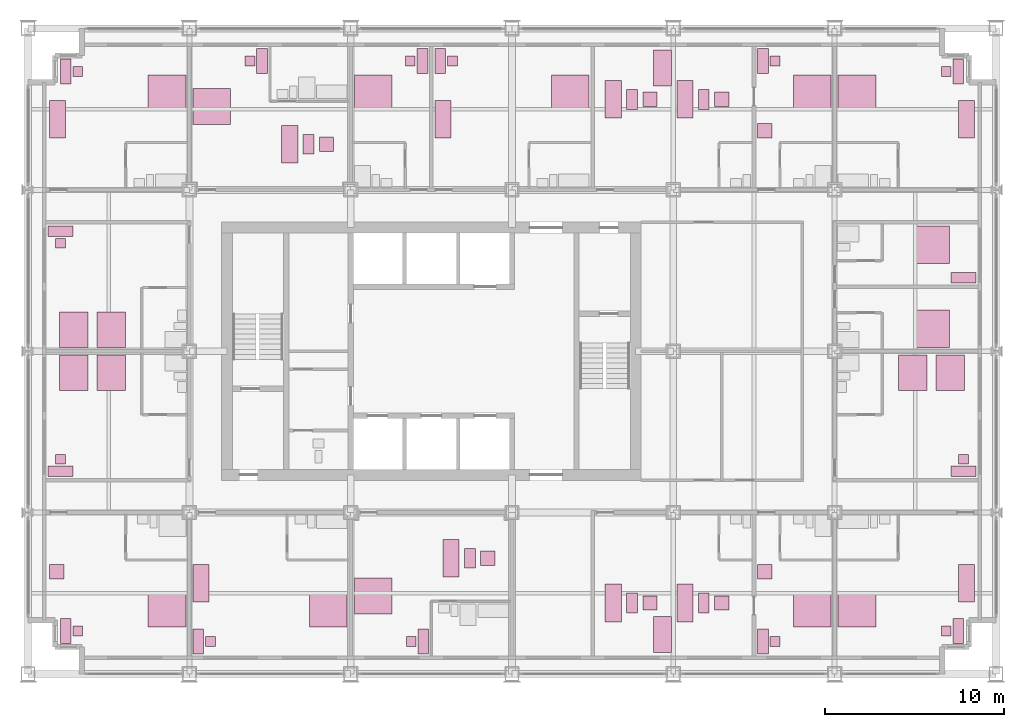
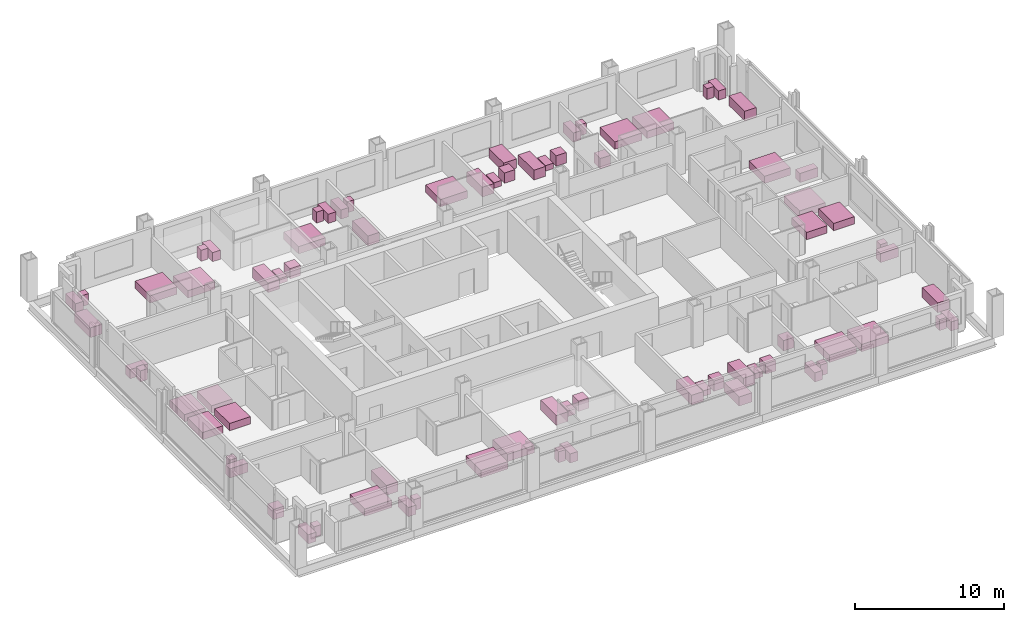
# One storey, part 18 of 18: 76 furniture elements.
"""IFC4 building model written with IfcOpenShell, lengths in metres."""

from ifc_helpers import new_model, si_unit, direction, frame, origin, origin_2d, place, context, subcontext, project, spatial, rectangle, extrude, element, save


model = new_model("IFC4")

# Units and contexts
model_context = context("Model", 3, precision=1e-05, world=origin(), true_north=direction((0.0, 1.0)))
body_context = subcontext(model_context, "Body", "Model", "MODEL_VIEW")
ifc_project = project(units=[si_unit("LENGTHUNIT", "METRE"), si_unit("AREAUNIT", "SQUARE_METRE"), si_unit("VOLUMEUNIT", "CUBIC_METRE"), si_unit("PLANEANGLEUNIT", "RADIAN"), si_unit("MASSUNIT", "GRAM", prefix="KILO")], contexts=[model_context])

# Site, building, storey
site_placement = place(None, origin())
site = spatial("IfcSite", under=ifc_project, at=site_placement, CompositionType="ELEMENT")
building_placement = place(site_placement, origin())
building = spatial("IfcBuilding", under=site, at=building_placement, Name="Loomwork Tower", CompositionType="ELEMENT")
storey_placement = place(building_placement, frame((0.0, 0.0, 75.60009765625)))
storey = spatial("IfcBuildingStorey", under=building, at=storey_placement, Name="L19", CompositionType="ELEMENT", Elevation=75.60009765625)

# Furniture
furniture_1_placement = place(storey_placement, frame((7.75, 3.60009765625, -0.000244140625), z_axis=(0.0, 0.0, 1.0), x_axis=(1.0, 0.0, 0.0)))
element("IfcFurniture", 1, at=furniture_1_placement, inside=storey, Name="King bed L19", PredefinedType="BED", context=body_context, shape_type="SweptSolid", body=[
    extrude(rectangle(XDim=2.10009765625, YDim=2.0, at=origin_2d()), origin(), (0.0, 0.0, 1.0), 0.60009765625),
])
furniture_2_placement = place(storey_placement, frame((2.10009765625, 2.39990234375, 0.0), z_axis=(0.0, 0.0, 1.0), x_axis=(1.0, 0.0, 0.0)))
element("IfcFurniture", 2, at=furniture_2_placement, inside=storey, Name="Writing desk L19", PredefinedType="DESK", context=body_context, shape_type="SweptSolid", body=[
    extrude(rectangle(XDim=0.60009765625, YDim=1.39990234375, at=origin_2d()), origin(), (0.0, 0.0, 1.0), 0.75),
])
furniture_3_placement = place(storey_placement, frame((2.77490234375, 2.39990234375, 0.0), z_axis=(0.0, 0.0, 1.0), x_axis=(1.0, 0.0, 0.0)))
element("IfcFurniture", 3, at=furniture_3_placement, inside=storey, Name="Desk chair L19", PredefinedType="CHAIR", context=body_context, shape_type="SweptSolid", body=[
    extrude(rectangle(XDim=0.550048828125, YDim=0.550048828125, at=origin_2d()), origin(), (0.0, 0.0, 1.0), 0.89990234375),
])
furniture_4_placement = place(storey_placement, frame((1.60009765625, 5.699951171875, -0.000244140625), z_axis=(0.0, 0.0, 1.0), x_axis=(1.0, 0.0, 0.0)))
element("IfcFurniture", 4, at=furniture_4_placement, inside=storey, Name="Lounge armchair L19", PredefinedType="CHAIR", context=body_context, shape_type="SweptSolid", body=[
    extrude(rectangle(XDim=0.800048828125, YDim=0.800048828125, at=origin_2d()), origin(), (0.0, 0.0, 1.0), 0.85009765625),
])
furniture_5_placement = place(storey_placement, frame((16.75, 3.60009765625, -0.000244140625), z_axis=(0.0, 0.0, 1.0), x_axis=(1.0, 0.0, 0.0)))
element("IfcFurniture", 5, at=furniture_5_placement, inside=storey, Name="King bed L19", PredefinedType="BED", context=body_context, shape_type="SweptSolid", body=[
    extrude(rectangle(XDim=2.10009765625, YDim=2.0, at=origin_2d()), origin(), (0.0, 0.0, 1.0), 0.60009765625),
])
furniture_6_placement = place(storey_placement, frame((9.5, 1.800048828125, 0.0), z_axis=(0.0, 0.0, 1.0), x_axis=(1.0, 0.0, 0.0)))
element("IfcFurniture", 6, at=furniture_6_placement, inside=storey, Name="Writing desk L19", PredefinedType="DESK", context=body_context, shape_type="SweptSolid", body=[
    extrude(rectangle(XDim=0.60009765625, YDim=1.39990234375, at=origin_2d()), origin(), (0.0, 0.0, 1.0), 0.75),
])
furniture_7_placement = place(storey_placement, frame((10.175048828125, 1.800048828125, 0.0), z_axis=(0.0, 0.0, 1.0), x_axis=(1.0, 0.0, 0.0)))
element("IfcFurniture", 7, at=furniture_7_placement, inside=storey, Name="Desk chair L19", PredefinedType="CHAIR", context=body_context, shape_type="SweptSolid", body=[
    extrude(rectangle(XDim=0.550048828125, YDim=0.550048828125, at=origin_2d()), origin(), (0.0, 0.0, 1.0), 0.89990234375),
])
furniture_8_placement = place(storey_placement, frame((9.64990234375, 5.050048828125, 0.0), z_axis=(0.0, 0.0, 1.0), x_axis=(1.0, 0.0, 0.0)))
element("IfcFurniture", 8, at=furniture_8_placement, inside=storey, Name="Sofa L19", PredefinedType="SOFA", context=body_context, shape_type="SweptSolid", body=[
    extrude(rectangle(XDim=0.89990234375, YDim=2.10009765625, at=origin_2d()), origin(), (0.0, 0.0, 1.0), 0.800048828125),
])
furniture_9_placement = place(storey_placement, frame((19.25, 4.35009765625, -0.000244140625), z_axis=(0.0, 0.0, 1.0), x_axis=(1.0, 0.0, 0.0)))
element("IfcFurniture", 9, at=furniture_9_placement, inside=storey, Name="King bed L19", PredefinedType="BED", context=body_context, shape_type="SweptSolid", body=[
    extrude(rectangle(XDim=2.10009765625, YDim=2.0, at=origin_2d()), origin(), (0.0, 0.0, 1.0), 0.60009765625),
])
furniture_10_placement = place(storey_placement, frame((22.050048828125, 1.800048828125, 0.0), z_axis=(0.0, 0.0, 1.0), x_axis=(1.0, 0.0, 0.0)))
element("IfcFurniture", 10, at=furniture_10_placement, inside=storey, Name="Writing desk L19", PredefinedType="DESK", context=body_context, shape_type="SweptSolid", body=[
    extrude(rectangle(XDim=0.60009765625, YDim=1.39990234375, at=origin_2d()), origin(), (0.0, 0.0, 1.0), 0.75),
])
furniture_11_placement = place(storey_placement, frame((21.375, 1.800048828125, 0.0), z_axis=(0.0, 0.0, 1.0), x_axis=(1.0, 0.0, 0.0)))
element("IfcFurniture", 11, at=furniture_11_placement, inside=storey, Name="Desk chair L19", PredefinedType="CHAIR", context=body_context, shape_type="SweptSolid", body=[
    extrude(rectangle(XDim=0.550048828125, YDim=0.550048828125, at=origin_2d()), origin(), (0.0, 0.0, 1.0), 0.89990234375),
])
furniture_12_placement = place(storey_placement, frame((23.60009765625, 6.449951171875, 0.0), z_axis=(0.0, 0.0, 1.0), x_axis=(1.0, 0.0, 0.0)))
element("IfcFurniture", 12, at=furniture_12_placement, inside=storey, Name="Sofa L19", PredefinedType="SOFA", context=body_context, shape_type="SweptSolid", body=[
    extrude(rectangle(XDim=0.89990234375, YDim=2.10009765625, at=origin_2d()), origin(), (0.0, 0.0, 1.0), 0.800048828125),
])
furniture_13_placement = place(storey_placement, frame((24.64990234375, 6.449951171875, 0.0), z_axis=(0.0, 0.0, 1.0), x_axis=(1.0, 0.0, 0.0)))
element("IfcFurniture", 13, at=furniture_13_placement, inside=storey, Name="Coffee table L19", PredefinedType="TABLE", context=body_context, shape_type="SweptSolid", body=[
    extrude(rectangle(XDim=0.60009765625, YDim=1.10009765625, at=origin_2d()), origin(), (0.0, 0.0, 1.0), 0.449951171875),
])
furniture_14_placement = place(storey_placement, frame((25.64990234375, 6.449951171875, -0.000244140625), z_axis=(0.0, 0.0, 1.0), x_axis=(1.0, 0.0, 0.0)))
element("IfcFurniture", 14, at=furniture_14_placement, inside=storey, Name="Lounge armchair L19", PredefinedType="CHAIR", context=body_context, shape_type="SweptSolid", body=[
    extrude(rectangle(XDim=0.800048828125, YDim=0.800048828125, at=origin_2d()), origin(), (0.0, 0.0, 1.0), 0.85009765625),
])
furniture_15_placement = place(storey_placement, frame((32.64990234375, 3.949951171875, 0.0), z_axis=(0.0, 0.0, 1.0), x_axis=(1.0, 0.0, 0.0)))
element("IfcFurniture", 15, at=furniture_15_placement, inside=storey, Name="Sofa L19", PredefinedType="SOFA", context=body_context, shape_type="SweptSolid", body=[
    extrude(rectangle(XDim=0.89990234375, YDim=2.10009765625, at=origin_2d()), origin(), (0.0, 0.0, 1.0), 0.800048828125),
])
furniture_16_placement = place(storey_placement, frame((33.699951171875, 3.949951171875, 0.0), z_axis=(0.0, 0.0, 1.0), x_axis=(1.0, 0.0, 0.0)))
element("IfcFurniture", 16, at=furniture_16_placement, inside=storey, Name="Coffee table L19", PredefinedType="TABLE", context=body_context, shape_type="SweptSolid", body=[
    extrude(rectangle(XDim=0.60009765625, YDim=1.10009765625, at=origin_2d()), origin(), (0.0, 0.0, 1.0), 0.449951171875),
])
furniture_17_placement = place(storey_placement, frame((34.699951171875, 3.949951171875, -0.000244140625), z_axis=(0.0, 0.0, 1.0), x_axis=(1.0, 0.0, 0.0)))
element("IfcFurniture", 17, at=furniture_17_placement, inside=storey, Name="Lounge armchair L19", PredefinedType="CHAIR", context=body_context, shape_type="SweptSolid", body=[
    extrude(rectangle(XDim=0.800048828125, YDim=0.800048828125, at=origin_2d()), origin(), (0.0, 0.0, 1.0), 0.85009765625),
])
furniture_18_placement = place(storey_placement, frame((36.64990234375, 3.949951171875, 0.0), z_axis=(0.0, 0.0, 1.0), x_axis=(1.0, 0.0, 0.0)))
element("IfcFurniture", 18, at=furniture_18_placement, inside=storey, Name="Sofa L19", PredefinedType="SOFA", context=body_context, shape_type="SweptSolid", body=[
    extrude(rectangle(XDim=0.89990234375, YDim=2.10009765625, at=origin_2d()), origin(), (0.0, 0.0, 1.0), 0.800048828125),
])
furniture_19_placement = place(storey_placement, frame((37.699951171875, 3.949951171875, 0.0), z_axis=(0.0, 0.0, 1.0), x_axis=(1.0, 0.0, 0.0)))
element("IfcFurniture", 19, at=furniture_19_placement, inside=storey, Name="Coffee table L19", PredefinedType="TABLE", context=body_context, shape_type="SweptSolid", body=[
    extrude(rectangle(XDim=0.60009765625, YDim=1.10009765625, at=origin_2d()), origin(), (0.0, 0.0, 1.0), 0.449951171875),
])
furniture_20_placement = place(storey_placement, frame((38.699951171875, 3.949951171875, -0.000244140625), z_axis=(0.0, 0.0, 1.0), x_axis=(1.0, 0.0, 0.0)))
element("IfcFurniture", 20, at=furniture_20_placement, inside=storey, Name="Lounge armchair L19", PredefinedType="CHAIR", context=body_context, shape_type="SweptSolid", body=[
    extrude(rectangle(XDim=0.800048828125, YDim=0.800048828125, at=origin_2d()), origin(), (0.0, 0.0, 1.0), 0.85009765625),
])
furniture_21_placement = place(storey_placement, frame((35.39990234375, 2.199951171875, 0.0), z_axis=(0.0, 0.0, 1.0), x_axis=(1.0, 0.0, 0.0)))
element("IfcFurniture", 21, at=furniture_21_placement, inside=storey, Name="Dining table L19", PredefinedType="TABLE", context=body_context, shape_type="SweptSolid", body=[
    extrude(rectangle(XDim=1.0, YDim=2.0, at=origin_2d()), origin(), (0.0, 0.0, 1.0), 0.75),
])
furniture_22_placement = place(storey_placement, frame((43.75, 3.60009765625, -0.000244140625), z_axis=(0.0, 0.0, 1.0), x_axis=(1.0, 0.0, 0.0)))
element("IfcFurniture", 22, at=furniture_22_placement, inside=storey, Name="King bed L19", PredefinedType="BED", context=body_context, shape_type="SweptSolid", body=[
    extrude(rectangle(XDim=2.10009765625, YDim=2.0, at=origin_2d()), origin(), (0.0, 0.0, 1.0), 0.60009765625),
])
furniture_23_placement = place(storey_placement, frame((41.0, 1.800048828125, 0.0), z_axis=(0.0, 0.0, 1.0), x_axis=(1.0, 0.0, 0.0)))
element("IfcFurniture", 23, at=furniture_23_placement, inside=storey, Name="Writing desk L19", PredefinedType="DESK", context=body_context, shape_type="SweptSolid", body=[
    extrude(rectangle(XDim=0.60009765625, YDim=1.39990234375, at=origin_2d()), origin(), (0.0, 0.0, 1.0), 0.75),
])
furniture_24_placement = place(storey_placement, frame((41.675048828125, 1.800048828125, 0.0), z_axis=(0.0, 0.0, 1.0), x_axis=(1.0, 0.0, 0.0)))
element("IfcFurniture", 24, at=furniture_24_placement, inside=storey, Name="Desk chair L19", PredefinedType="CHAIR", context=body_context, shape_type="SweptSolid", body=[
    extrude(rectangle(XDim=0.550048828125, YDim=0.550048828125, at=origin_2d()), origin(), (0.0, 0.0, 1.0), 0.89990234375),
])
furniture_25_placement = place(storey_placement, frame((41.10009765625, 5.699951171875, -0.000244140625), z_axis=(0.0, 0.0, 1.0), x_axis=(1.0, 0.0, 0.0)))
element("IfcFurniture", 25, at=furniture_25_placement, inside=storey, Name="Lounge armchair L19", PredefinedType="CHAIR", context=body_context, shape_type="SweptSolid", body=[
    extrude(rectangle(XDim=0.800048828125, YDim=0.800048828125, at=origin_2d()), origin(), (0.0, 0.0, 1.0), 0.85009765625),
])
furniture_26_placement = place(storey_placement, frame((46.25, 3.60009765625, -0.000244140625), z_axis=(0.0, 0.0, 1.0), x_axis=(1.0, 0.0, 0.0)))
element("IfcFurniture", 26, at=furniture_26_placement, inside=storey, Name="King bed L19", PredefinedType="BED", context=body_context, shape_type="SweptSolid", body=[
    extrude(rectangle(XDim=2.10009765625, YDim=2.0, at=origin_2d()), origin(), (0.0, 0.0, 1.0), 0.60009765625),
])
furniture_27_placement = place(storey_placement, frame((51.89990234375, 2.39990234375, 0.0), z_axis=(0.0, 0.0, 1.0), x_axis=(1.0, 0.0, 0.0)))
element("IfcFurniture", 27, at=furniture_27_placement, inside=storey, Name="Writing desk L19", PredefinedType="DESK", context=body_context, shape_type="SweptSolid", body=[
    extrude(rectangle(XDim=0.60009765625, YDim=1.39990234375, at=origin_2d()), origin(), (0.0, 0.0, 1.0), 0.75),
])
furniture_28_placement = place(storey_placement, frame((51.22509765625, 2.39990234375, 0.0), z_axis=(0.0, 0.0, 1.0), x_axis=(1.0, 0.0, 0.0)))
element("IfcFurniture", 28, at=furniture_28_placement, inside=storey, Name="Desk chair L19", PredefinedType="CHAIR", context=body_context, shape_type="SweptSolid", body=[
    extrude(rectangle(XDim=0.550048828125, YDim=0.550048828125, at=origin_2d()), origin(), (0.0, 0.0, 1.0), 0.89990234375),
])
furniture_29_placement = place(storey_placement, frame((52.35009765625, 5.050048828125, 0.0), z_axis=(0.0, 0.0, 1.0), x_axis=(1.0, 0.0, 0.0)))
element("IfcFurniture", 29, at=furniture_29_placement, inside=storey, Name="Sofa L19", PredefinedType="SOFA", context=body_context, shape_type="SweptSolid", body=[
    extrude(rectangle(XDim=0.89990234375, YDim=2.10009765625, at=origin_2d()), origin(), (0.0, 0.0, 1.0), 0.800048828125),
])
furniture_30_placement = place(storey_placement, frame((7.75, 32.39990234375, -0.000244140625), z_axis=(0.0, 0.0, 1.0), x_axis=(1.0, 0.0, 0.0)))
element("IfcFurniture", 30, at=furniture_30_placement, inside=storey, Name="King bed L19", PredefinedType="BED", context=body_context, shape_type="SweptSolid", body=[
    extrude(rectangle(XDim=2.10009765625, YDim=2.0, at=origin_2d()), origin(), (0.0, 0.0, 1.0), 0.60009765625),
])
furniture_31_placement = place(storey_placement, frame((2.10009765625, 33.60009765625, 0.0), z_axis=(0.0, 0.0, 1.0), x_axis=(1.0, 0.0, 0.0)))
element("IfcFurniture", 31, at=furniture_31_placement, inside=storey, Name="Writing desk L19", PredefinedType="DESK", context=body_context, shape_type="SweptSolid", body=[
    extrude(rectangle(XDim=0.60009765625, YDim=1.39990234375, at=origin_2d()), origin(), (0.0, 0.0, 1.0), 0.75),
])
furniture_32_placement = place(storey_placement, frame((2.77490234375, 33.60009765625, 0.0), z_axis=(0.0, 0.0, 1.0), x_axis=(1.0, 0.0, 0.0)))
element("IfcFurniture", 32, at=furniture_32_placement, inside=storey, Name="Desk chair L19", PredefinedType="CHAIR", context=body_context, shape_type="SweptSolid", body=[
    extrude(rectangle(XDim=0.550048828125, YDim=0.550048828125, at=origin_2d()), origin(), (0.0, 0.0, 1.0), 0.89990234375),
])
furniture_33_placement = place(storey_placement, frame((1.64990234375, 30.949951171875, 0.0), z_axis=(0.0, 0.0, 1.0), x_axis=(1.0, 0.0, 0.0)))
element("IfcFurniture", 33, at=furniture_33_placement, inside=storey, Name="Sofa L19", PredefinedType="SOFA", context=body_context, shape_type="SweptSolid", body=[
    extrude(rectangle(XDim=0.89990234375, YDim=2.10009765625, at=origin_2d()), origin(), (0.0, 0.0, 1.0), 0.800048828125),
])
furniture_34_placement = place(storey_placement, frame((10.25, 31.64990234375, -0.000244140625), z_axis=(0.0, 0.0, 1.0), x_axis=(1.0, 0.0, 0.0)))
element("IfcFurniture", 34, at=furniture_34_placement, inside=storey, Name="King bed L19", PredefinedType="BED", context=body_context, shape_type="SweptSolid", body=[
    extrude(rectangle(XDim=2.10009765625, YDim=2.0, at=origin_2d()), origin(), (0.0, 0.0, 1.0), 0.60009765625),
])
furniture_35_placement = place(storey_placement, frame((13.050048828125, 34.199951171875, 0.0), z_axis=(0.0, 0.0, 1.0), x_axis=(1.0, 0.0, 0.0)))
element("IfcFurniture", 35, at=furniture_35_placement, inside=storey, Name="Writing desk L19", PredefinedType="DESK", context=body_context, shape_type="SweptSolid", body=[
    extrude(rectangle(XDim=0.60009765625, YDim=1.39990234375, at=origin_2d()), origin(), (0.0, 0.0, 1.0), 0.75),
])
furniture_36_placement = place(storey_placement, frame((12.375, 34.199951171875, 0.0), z_axis=(0.0, 0.0, 1.0), x_axis=(1.0, 0.0, 0.0)))
element("IfcFurniture", 36, at=furniture_36_placement, inside=storey, Name="Desk chair L19", PredefinedType="CHAIR", context=body_context, shape_type="SweptSolid", body=[
    extrude(rectangle(XDim=0.550048828125, YDim=0.550048828125, at=origin_2d()), origin(), (0.0, 0.0, 1.0), 0.89990234375),
])
furniture_37_placement = place(storey_placement, frame((14.60009765625, 29.550048828125, 0.0), z_axis=(0.0, 0.0, 1.0), x_axis=(1.0, 0.0, 0.0)))
element("IfcFurniture", 37, at=furniture_37_placement, inside=storey, Name="Sofa L19", PredefinedType="SOFA", context=body_context, shape_type="SweptSolid", body=[
    extrude(rectangle(XDim=0.89990234375, YDim=2.10009765625, at=origin_2d()), origin(), (0.0, 0.0, 1.0), 0.800048828125),
])
furniture_38_placement = place(storey_placement, frame((15.64990234375, 29.550048828125, 0.0), z_axis=(0.0, 0.0, 1.0), x_axis=(1.0, 0.0, 0.0)))
element("IfcFurniture", 38, at=furniture_38_placement, inside=storey, Name="Coffee table L19", PredefinedType="TABLE", context=body_context, shape_type="SweptSolid", body=[
    extrude(rectangle(XDim=0.60009765625, YDim=1.10009765625, at=origin_2d()), origin(), (0.0, 0.0, 1.0), 0.449951171875),
])
furniture_39_placement = place(storey_placement, frame((16.64990234375, 29.550048828125, -0.000244140625), z_axis=(0.0, 0.0, 1.0), x_axis=(1.0, 0.0, 0.0)))
element("IfcFurniture", 39, at=furniture_39_placement, inside=storey, Name="Lounge armchair L19", PredefinedType="CHAIR", context=body_context, shape_type="SweptSolid", body=[
    extrude(rectangle(XDim=0.800048828125, YDim=0.800048828125, at=origin_2d()), origin(), (0.0, 0.0, 1.0), 0.85009765625),
])
furniture_40_placement = place(storey_placement, frame((19.25, 32.39990234375, -0.000244140625), z_axis=(0.0, 0.0, 1.0), x_axis=(1.0, 0.0, 0.0)))
element("IfcFurniture", 40, at=furniture_40_placement, inside=storey, Name="King bed L19", PredefinedType="BED", context=body_context, shape_type="SweptSolid", body=[
    extrude(rectangle(XDim=2.10009765625, YDim=2.0, at=origin_2d()), origin(), (0.0, 0.0, 1.0), 0.60009765625),
])
furniture_41_placement = place(storey_placement, frame((22.0, 34.199951171875, 0.0), z_axis=(0.0, 0.0, 1.0), x_axis=(1.0, 0.0, 0.0)))
element("IfcFurniture", 41, at=furniture_41_placement, inside=storey, Name="Writing desk L19", PredefinedType="DESK", context=body_context, shape_type="SweptSolid", body=[
    extrude(rectangle(XDim=0.60009765625, YDim=1.39990234375, at=origin_2d()), origin(), (0.0, 0.0, 1.0), 0.75),
])
furniture_42_placement = place(storey_placement, frame((21.324951171875, 34.199951171875, 0.0), z_axis=(0.0, 0.0, 1.0), x_axis=(1.0, 0.0, 0.0)))
element("IfcFurniture", 42, at=furniture_42_placement, inside=storey, Name="Desk chair L19", PredefinedType="CHAIR", context=body_context, shape_type="SweptSolid", body=[
    extrude(rectangle(XDim=0.550048828125, YDim=0.550048828125, at=origin_2d()), origin(), (0.0, 0.0, 1.0), 0.89990234375),
])
furniture_43_placement = place(storey_placement, frame((30.25, 32.39990234375, -0.000244140625), z_axis=(0.0, 0.0, 1.0), x_axis=(1.0, 0.0, 0.0)))
element("IfcFurniture", 43, at=furniture_43_placement, inside=storey, Name="King bed L19", PredefinedType="BED", context=body_context, shape_type="SweptSolid", body=[
    extrude(rectangle(XDim=2.10009765625, YDim=2.0, at=origin_2d()), origin(), (0.0, 0.0, 1.0), 0.60009765625),
])
furniture_44_placement = place(storey_placement, frame((23.0, 34.199951171875, 0.0), z_axis=(0.0, 0.0, 1.0), x_axis=(1.0, 0.0, 0.0)))
element("IfcFurniture", 44, at=furniture_44_placement, inside=storey, Name="Writing desk L19", PredefinedType="DESK", context=body_context, shape_type="SweptSolid", body=[
    extrude(rectangle(XDim=0.60009765625, YDim=1.39990234375, at=origin_2d()), origin(), (0.0, 0.0, 1.0), 0.75),
])
furniture_45_placement = place(storey_placement, frame((23.675048828125, 34.199951171875, 0.0), z_axis=(0.0, 0.0, 1.0), x_axis=(1.0, 0.0, 0.0)))
element("IfcFurniture", 45, at=furniture_45_placement, inside=storey, Name="Desk chair L19", PredefinedType="CHAIR", context=body_context, shape_type="SweptSolid", body=[
    extrude(rectangle(XDim=0.550048828125, YDim=0.550048828125, at=origin_2d()), origin(), (0.0, 0.0, 1.0), 0.89990234375),
])
for number, where, z_axis, x_axis, name in (
    (46, (23.14990234375, 30.949951171875, 0.0), (0.0, 0.0, 1.0), (1.0, 0.0, 0.0), "Sofa L19"),
    (47, (32.64990234375, 32.050048828125, 0.0), (0.0, 0.0, 1.0), (1.0, 0.0, 0.0), "Sofa L19"),
):
    element("IfcFurniture", number, at=place(storey_placement, frame(where, z_axis=z_axis, x_axis=x_axis)), inside=storey, Name=name, PredefinedType="SOFA", context=body_context, shape_type="SweptSolid", body=[
        extrude(rectangle(XDim=0.89990234375, YDim=2.10009765625, at=origin_2d()), origin(), (0.0, 0.0, 1.0), 0.800048828125),
    ])
furniture_46_placement = place(storey_placement, frame((33.699951171875, 32.050048828125, 0.0), z_axis=(0.0, 0.0, 1.0), x_axis=(1.0, 0.0, 0.0)))
element("IfcFurniture", 48, at=furniture_46_placement, inside=storey, Name="Coffee table L19", PredefinedType="TABLE", context=body_context, shape_type="SweptSolid", body=[
    extrude(rectangle(XDim=0.60009765625, YDim=1.10009765625, at=origin_2d()), origin(), (0.0, 0.0, 1.0), 0.449951171875),
])
furniture_47_placement = place(storey_placement, frame((34.699951171875, 32.050048828125, -0.000244140625), z_axis=(0.0, 0.0, 1.0), x_axis=(1.0, 0.0, 0.0)))
element("IfcFurniture", 49, at=furniture_47_placement, inside=storey, Name="Lounge armchair L19", PredefinedType="CHAIR", context=body_context, shape_type="SweptSolid", body=[
    extrude(rectangle(XDim=0.800048828125, YDim=0.800048828125, at=origin_2d()), origin(), (0.0, 0.0, 1.0), 0.85009765625),
])
furniture_48_placement = place(storey_placement, frame((36.64990234375, 32.050048828125, 0.0), z_axis=(0.0, 0.0, 1.0), x_axis=(1.0, 0.0, 0.0)))
element("IfcFurniture", 50, at=furniture_48_placement, inside=storey, Name="Sofa L19", PredefinedType="SOFA", context=body_context, shape_type="SweptSolid", body=[
    extrude(rectangle(XDim=0.89990234375, YDim=2.10009765625, at=origin_2d()), origin(), (0.0, 0.0, 1.0), 0.800048828125),
])
furniture_49_placement = place(storey_placement, frame((37.699951171875, 32.050048828125, 0.0), z_axis=(0.0, 0.0, 1.0), x_axis=(1.0, 0.0, 0.0)))
element("IfcFurniture", 51, at=furniture_49_placement, inside=storey, Name="Coffee table L19", PredefinedType="TABLE", context=body_context, shape_type="SweptSolid", body=[
    extrude(rectangle(XDim=0.60009765625, YDim=1.10009765625, at=origin_2d()), origin(), (0.0, 0.0, 1.0), 0.449951171875),
])
furniture_50_placement = place(storey_placement, frame((38.699951171875, 32.050048828125, -0.000244140625), z_axis=(0.0, 0.0, 1.0), x_axis=(1.0, 0.0, 0.0)))
element("IfcFurniture", 52, at=furniture_50_placement, inside=storey, Name="Lounge armchair L19", PredefinedType="CHAIR", context=body_context, shape_type="SweptSolid", body=[
    extrude(rectangle(XDim=0.800048828125, YDim=0.800048828125, at=origin_2d()), origin(), (0.0, 0.0, 1.0), 0.85009765625),
])
furniture_51_placement = place(storey_placement, frame((35.39990234375, 33.800048828125, 0.0), z_axis=(0.0, 0.0, 1.0), x_axis=(1.0, 0.0, 0.0)))
element("IfcFurniture", 53, at=furniture_51_placement, inside=storey, Name="Dining table L19", PredefinedType="TABLE", context=body_context, shape_type="SweptSolid", body=[
    extrude(rectangle(XDim=1.0, YDim=2.0, at=origin_2d()), origin(), (0.0, 0.0, 1.0), 0.75),
])
furniture_52_placement = place(storey_placement, frame((43.75, 32.39990234375, -0.000244140625), z_axis=(0.0, 0.0, 1.0), x_axis=(1.0, 0.0, 0.0)))
element("IfcFurniture", 54, at=furniture_52_placement, inside=storey, Name="King bed L19", PredefinedType="BED", context=body_context, shape_type="SweptSolid", body=[
    extrude(rectangle(XDim=2.10009765625, YDim=2.0, at=origin_2d()), origin(), (0.0, 0.0, 1.0), 0.60009765625),
])
furniture_53_placement = place(storey_placement, frame((41.0, 34.199951171875, 0.0), z_axis=(0.0, 0.0, 1.0), x_axis=(1.0, 0.0, 0.0)))
element("IfcFurniture", 55, at=furniture_53_placement, inside=storey, Name="Writing desk L19", PredefinedType="DESK", context=body_context, shape_type="SweptSolid", body=[
    extrude(rectangle(XDim=0.60009765625, YDim=1.39990234375, at=origin_2d()), origin(), (0.0, 0.0, 1.0), 0.75),
])
furniture_54_placement = place(storey_placement, frame((41.675048828125, 34.199951171875, 0.0), z_axis=(0.0, 0.0, 1.0), x_axis=(1.0, 0.0, 0.0)))
element("IfcFurniture", 56, at=furniture_54_placement, inside=storey, Name="Desk chair L19", PredefinedType="CHAIR", context=body_context, shape_type="SweptSolid", body=[
    extrude(rectangle(XDim=0.550048828125, YDim=0.550048828125, at=origin_2d()), origin(), (0.0, 0.0, 1.0), 0.89990234375),
])
furniture_55_placement = place(storey_placement, frame((41.10009765625, 30.300048828125, -0.000244140625), z_axis=(0.0, 0.0, 1.0), x_axis=(1.0, 0.0, 0.0)))
element("IfcFurniture", 57, at=furniture_55_placement, inside=storey, Name="Lounge armchair L19", PredefinedType="CHAIR", context=body_context, shape_type="SweptSolid", body=[
    extrude(rectangle(XDim=0.800048828125, YDim=0.800048828125, at=origin_2d()), origin(), (0.0, 0.0, 1.0), 0.85009765625),
])
furniture_56_placement = place(storey_placement, frame((46.25, 32.39990234375, -0.000244140625), z_axis=(0.0, 0.0, 1.0), x_axis=(1.0, 0.0, 0.0)))
element("IfcFurniture", 58, at=furniture_56_placement, inside=storey, Name="King bed L19", PredefinedType="BED", context=body_context, shape_type="SweptSolid", body=[
    extrude(rectangle(XDim=2.10009765625, YDim=2.0, at=origin_2d()), origin(), (0.0, 0.0, 1.0), 0.60009765625),
])
furniture_57_placement = place(storey_placement, frame((51.89990234375, 33.60009765625, 0.0), z_axis=(0.0, 0.0, 1.0), x_axis=(1.0, 0.0, 0.0)))
element("IfcFurniture", 59, at=furniture_57_placement, inside=storey, Name="Writing desk L19", PredefinedType="DESK", context=body_context, shape_type="SweptSolid", body=[
    extrude(rectangle(XDim=0.60009765625, YDim=1.39990234375, at=origin_2d()), origin(), (0.0, 0.0, 1.0), 0.75),
])
furniture_58_placement = place(storey_placement, frame((51.22509765625, 33.60009765625, 0.0), z_axis=(0.0, 0.0, 1.0), x_axis=(1.0, 0.0, 0.0)))
element("IfcFurniture", 60, at=furniture_58_placement, inside=storey, Name="Desk chair L19", PredefinedType="CHAIR", context=body_context, shape_type="SweptSolid", body=[
    extrude(rectangle(XDim=0.550048828125, YDim=0.550048828125, at=origin_2d()), origin(), (0.0, 0.0, 1.0), 0.89990234375),
])
furniture_59_placement = place(storey_placement, frame((52.35009765625, 30.949951171875, 0.0), z_axis=(0.0, 0.0, 1.0), x_axis=(1.0, 0.0, 0.0)))
element("IfcFurniture", 61, at=furniture_59_placement, inside=storey, Name="Sofa L19", PredefinedType="SOFA", context=body_context, shape_type="SweptSolid", body=[
    extrude(rectangle(XDim=0.89990234375, YDim=2.10009765625, at=origin_2d()), origin(), (0.0, 0.0, 1.0), 0.800048828125),
])
for number, where, z_axis, x_axis, name in (
    (62, (4.64990234375, 16.800048828125, -0.000244140625), (0.0, 0.0, 1.0), (1.0, 0.0, 0.0), "Queen bed L19"),
    (63, (2.550048828125, 16.800048828125, -0.000244140625), (0.0, 0.0, 1.0), (1.0, 0.0, 0.0), "Queen bed L19"),
):
    element("IfcFurniture", number, at=place(storey_placement, frame(where, z_axis=z_axis, x_axis=x_axis)), inside=storey, Name=name, PredefinedType="BED", context=body_context, shape_type="SweptSolid", body=[
        extrude(rectangle(XDim=1.60009765625, YDim=2.0, at=origin_2d()), origin(), (0.0, 0.0, 1.0), 0.60009765625),
    ])
furniture_60_placement = place(storey_placement, frame((1.800048828125, 11.300048828125, 0.0), z_axis=(0.0, 0.0, 1.0), x_axis=(1.0, 0.0, 0.0)))
element("IfcFurniture", 64, at=furniture_60_placement, inside=storey, Name="Writing desk L19", PredefinedType="DESK", context=body_context, shape_type="SweptSolid", body=[
    extrude(rectangle(XDim=1.39990234375, YDim=0.60009765625, at=origin_2d()), origin(), (0.0, 0.0, 1.0), 0.75),
])
furniture_61_placement = place(storey_placement, frame((1.800048828125, 11.97509765625, 0.0), z_axis=(0.0, 0.0, 1.0), x_axis=(1.0, 0.0, 0.0)))
element("IfcFurniture", 65, at=furniture_61_placement, inside=storey, Name="Desk chair L19", PredefinedType="CHAIR", context=body_context, shape_type="SweptSolid", body=[
    extrude(rectangle(XDim=0.550048828125, YDim=0.550048828125, at=origin_2d()), origin(), (0.0, 0.0, 1.0), 0.89990234375),
])
for number, where, z_axis, x_axis, name in (
    (66, (4.64990234375, 19.199951171875, -0.000244140625), (0.0, 0.0, 1.0), (1.0, 0.0, 0.0), "Queen bed L19"),
    (67, (2.550048828125, 19.199951171875, -0.000244140625), (0.0, 0.0, 1.0), (1.0, 0.0, 0.0), "Queen bed L19"),
):
    element("IfcFurniture", number, at=place(storey_placement, frame(where, z_axis=z_axis, x_axis=x_axis)), inside=storey, Name=name, PredefinedType="BED", context=body_context, shape_type="SweptSolid", body=[
        extrude(rectangle(XDim=1.60009765625, YDim=2.0, at=origin_2d()), origin(), (0.0, 0.0, 1.0), 0.60009765625),
    ])
furniture_62_placement = place(storey_placement, frame((1.800048828125, 24.699951171875, 0.0), z_axis=(0.0, 0.0, 1.0), x_axis=(1.0, 0.0, 0.0)))
element("IfcFurniture", 68, at=furniture_62_placement, inside=storey, Name="Writing desk L19", PredefinedType="DESK", context=body_context, shape_type="SweptSolid", body=[
    extrude(rectangle(XDim=1.39990234375, YDim=0.60009765625, at=origin_2d()), origin(), (0.0, 0.0, 1.0), 0.75),
])
furniture_63_placement = place(storey_placement, frame((1.800048828125, 24.02490234375, 0.0), z_axis=(0.0, 0.0, 1.0), x_axis=(1.0, 0.0, 0.0)))
element("IfcFurniture", 69, at=furniture_63_placement, inside=storey, Name="Desk chair L19", PredefinedType="CHAIR", context=body_context, shape_type="SweptSolid", body=[
    extrude(rectangle(XDim=0.550048828125, YDim=0.550048828125, at=origin_2d()), origin(), (0.0, 0.0, 1.0), 0.89990234375),
])
for number, where, z_axis, x_axis, name in (
    (70, (49.35009765625, 16.800048828125, -0.000244140625), (0.0, 0.0, 1.0), (1.0, 0.0, 0.0), "Queen bed L19"),
    (71, (51.449951171875, 16.800048828125, -0.000244140625), (0.0, 0.0, 1.0), (1.0, 0.0, 0.0), "Queen bed L19"),
):
    element("IfcFurniture", number, at=place(storey_placement, frame(where, z_axis=z_axis, x_axis=x_axis)), inside=storey, Name=name, PredefinedType="BED", context=body_context, shape_type="SweptSolid", body=[
        extrude(rectangle(XDim=1.60009765625, YDim=2.0, at=origin_2d()), origin(), (0.0, 0.0, 1.0), 0.60009765625),
    ])
furniture_64_placement = place(storey_placement, frame((52.199951171875, 11.300048828125, 0.0), z_axis=(0.0, 0.0, 1.0), x_axis=(1.0, 0.0, 0.0)))
element("IfcFurniture", 72, at=furniture_64_placement, inside=storey, Name="Writing desk L19", PredefinedType="DESK", context=body_context, shape_type="SweptSolid", body=[
    extrude(rectangle(XDim=1.39990234375, YDim=0.60009765625, at=origin_2d()), origin(), (0.0, 0.0, 1.0), 0.75),
])
furniture_65_placement = place(storey_placement, frame((52.199951171875, 11.97509765625, 0.0), z_axis=(0.0, 0.0, 1.0), x_axis=(1.0, 0.0, 0.0)))
element("IfcFurniture", 73, at=furniture_65_placement, inside=storey, Name="Desk chair L19", PredefinedType="CHAIR", context=body_context, shape_type="SweptSolid", body=[
    extrude(rectangle(XDim=0.550048828125, YDim=0.550048828125, at=origin_2d()), origin(), (0.0, 0.0, 1.0), 0.89990234375),
])
for number, where, z_axis, x_axis, name in (
    (74, (50.39990234375, 19.25, -0.000244140625), (0.0, 0.0, 1.0), (1.0, 0.0, 0.0), "King bed L19"),
    (75, (50.39990234375, 23.949951171875, -0.000244140625), (0.0, 0.0, 1.0), (1.0, 0.0, 0.0), "King bed L19"),
):
    element("IfcFurniture", number, at=place(storey_placement, frame(where, z_axis=z_axis, x_axis=x_axis)), inside=storey, Name=name, PredefinedType="BED", context=body_context, shape_type="SweptSolid", body=[
        extrude(rectangle(XDim=2.0, YDim=2.10009765625, at=origin_2d()), origin(), (0.0, 0.0, 1.0), 0.60009765625),
    ])
furniture_66_placement = place(storey_placement, frame((52.199951171875, 22.10009765625, 0.0), z_axis=(0.0, 0.0, 1.0), x_axis=(1.0, 0.0, 0.0)))
element("IfcFurniture", 76, at=furniture_66_placement, inside=storey, Name="Writing desk L19", PredefinedType="DESK", context=body_context, shape_type="SweptSolid", body=[
    extrude(rectangle(XDim=1.39990234375, YDim=0.60009765625, at=origin_2d()), origin(), (0.0, 0.0, 1.0), 0.75),
])

save(model, "model.ifc")
